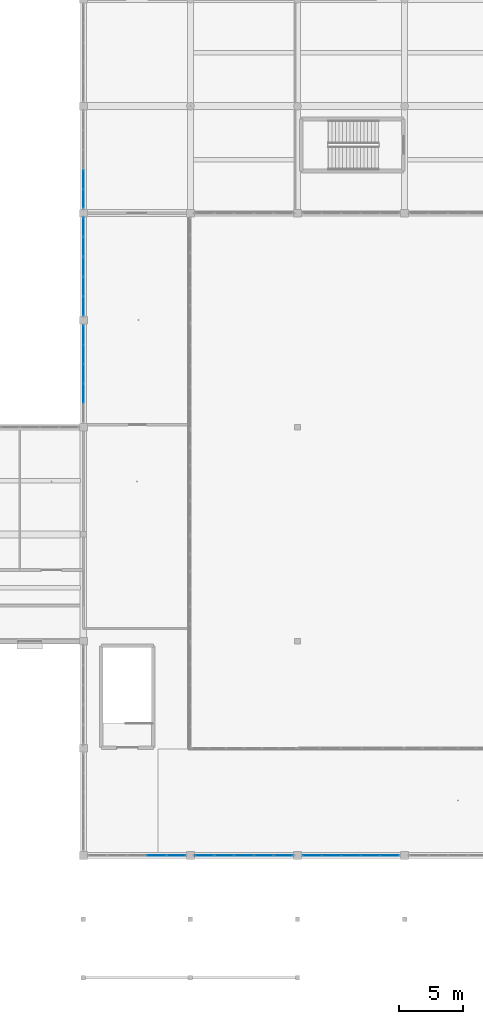
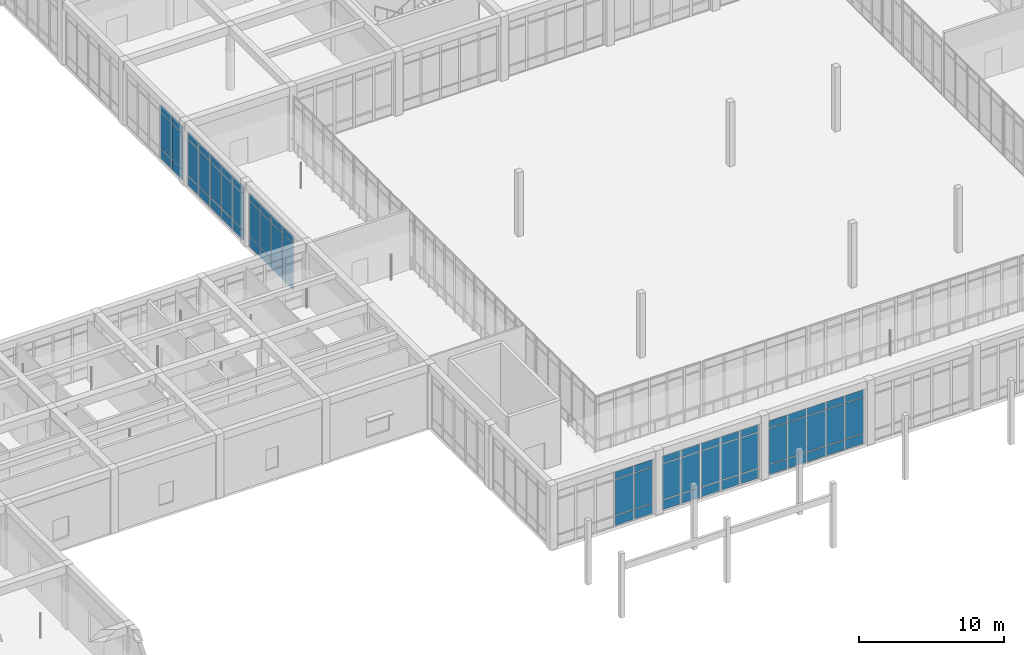
# One storey, part 57 of 157: 69 plates, 6 elements without a shape of their own.
"""IFC4 building model written with IfcOpenShell, lengths in metres."""

from ifc_helpers import new_model, si_unit, direction, frame, origin, origin_2d, place, context, subcontext, project, spatial, rectangle, extrude, material, layer, layer_set, type_object, element, aggregate, save


model = new_model("IFC4")

# Units and contexts
model_context = context("Model", 3, precision=1e-05, world=origin(), true_north=direction((0.0, 1.0)))
body_context = subcontext(model_context, "Body", "Model", "MODEL_VIEW")
ifc_project = project(units=[si_unit("LENGTHUNIT", "METRE"), si_unit("AREAUNIT", "SQUARE_METRE"), si_unit("VOLUMEUNIT", "CUBIC_METRE"), si_unit("PLANEANGLEUNIT", "RADIAN"), si_unit("MASSUNIT", "GRAM", prefix="KILO")], contexts=[model_context])

# Site, building, storey
site_placement = place(None, origin())
site = spatial("IfcSite", under=ifc_project, at=site_placement, CompositionType="ELEMENT")
building_placement = place(site_placement, origin())
building = spatial("IfcBuilding", under=site, at=building_placement, Name="Varncliffe General Hospital", CompositionType="ELEMENT")
storey_placement = place(building_placement, frame((0.0, 0.0, 5.39990234375)))
storey = spatial("IfcBuildingStorey", under=building, at=storey_placement, Name="L01", CompositionType="ELEMENT", Elevation=5.39990234375)

# Curtain wall, plates
ifc_material = material(Name="Triple low-E argon insulated vision glazing", Category="glass")
curtain_wall_type_1 = type_object("IfcCurtainWallType", Name="Unitised Glazed Curtain Wall CW70 (7724x4640)", PredefinedType="USERDEFINED", material=ifc_material)
curtain_wall_1_placement = place(storey_placement, origin())
curtain_wall_1 = element("IfcCurtainWall", 1, at=curtain_wall_1_placement, inside=storey, type_object=curtain_wall_type_1, Name="L01 Glazed Curtain Wall CW70-52", ObjectType="GLAZED CURTAIN WALL", PredefinedType="USERDEFINED")
ifc_layer_1 = layer(ifc_material, 0.0439453125)
ifc_layer_set_1 = layer_set([ifc_layer_1], Name="Triple low-E argon insulated vision glazing")
plate_type_1 = type_object("IfcPlateType", Name="Curtain Wall Glazing Panel CP12 (44mm)", PredefinedType="CURTAIN_PANEL", material=ifc_layer_set_1)
plate_1_placement = place(storey_placement, frame((66.07080078125, 7.199951171875, 0.06005859375), z_axis=(0.0, 0.0, 1.0), x_axis=(-1.0, 0.0, 0.0)))
plate_1 = element("IfcPlate", 2, at=plate_1_placement, type_object=plate_type_1, Name="CW70 panel 1.1", PredefinedType="CURTAIN_PANEL", context=body_context, shape_type="SweptSolid", body=[
    extrude(rectangle(XDim=1.432373046875, YDim=0.0439453125, at=origin_2d()), origin(), (0.0, 0.0, 1.0), 0.81005859375),
])
plate_2_placement = place(storey_placement, frame((66.07080078125, 7.199951171875, 0.93017578125), z_axis=(0.0, 0.0, 1.0), x_axis=(-1.0, 0.0, 0.0)))
plate_2 = element("IfcPlate", 3, at=plate_2_placement, type_object=plate_type_1, Name="CW70 panel 1.2", PredefinedType="CURTAIN_PANEL", context=body_context, shape_type="SweptSolid", body=[
    extrude(rectangle(XDim=1.432373046875, YDim=0.0439453125, at=origin_2d()), origin(), (0.0, 0.0, 1.0), 2.97998046875),
])
plate_3_placement = place(storey_placement, frame((66.07080078125, 7.199951171875, 3.97021484375), z_axis=(0.0, 0.0, 1.0), x_axis=(-1.0, 0.0, 0.0)))
plate_3 = element("IfcPlate", 4, at=plate_3_placement, type_object=plate_type_1, Name="CW70 panel 1.3", PredefinedType="CURTAIN_PANEL", context=body_context, shape_type="SweptSolid", body=[
    extrude(rectangle(XDim=1.432373046875, YDim=0.0439453125, at=origin_2d()), origin(), (0.0, 0.0, 1.0), 0.610107421875),
])
plate_4_placement = place(storey_placement, frame((64.544921875, 7.199951171875, 0.06005859375), z_axis=(0.0, 0.0, 1.0), x_axis=(-1.0, 0.0, 0.0)))
plate_4 = element("IfcPlate", 5, at=plate_4_placement, type_object=plate_type_1, Name="CW70 panel 2.1", PredefinedType="CURTAIN_PANEL", context=body_context, shape_type="SweptSolid", body=[
    extrude(rectangle(XDim=1.4697265625, YDim=0.0439453125, at=origin_2d()), origin(), (0.0, 0.0, 1.0), 0.81005859375),
])
plate_5_placement = place(storey_placement, frame((64.544921875, 7.199951171875, 0.93017578125), z_axis=(0.0, 0.0, 1.0), x_axis=(-1.0, 0.0, 0.0)))
plate_5 = element("IfcPlate", 6, at=plate_5_placement, type_object=plate_type_1, Name="CW70 panel 2.2", PredefinedType="CURTAIN_PANEL", context=body_context, shape_type="SweptSolid", body=[
    extrude(rectangle(XDim=1.4697265625, YDim=0.0439453125, at=origin_2d()), origin(), (0.0, 0.0, 1.0), 2.97998046875),
])
plate_6_placement = place(storey_placement, frame((64.544921875, 7.199951171875, 3.97021484375), z_axis=(0.0, 0.0, 1.0), x_axis=(-1.0, 0.0, 0.0)))
plate_6 = element("IfcPlate", 7, at=plate_6_placement, type_object=plate_type_1, Name="CW70 panel 2.3", PredefinedType="CURTAIN_PANEL", context=body_context, shape_type="SweptSolid", body=[
    extrude(rectangle(XDim=1.4697265625, YDim=0.0439453125, at=origin_2d()), origin(), (0.0, 0.0, 1.0), 0.610107421875),
])
aggregate(curtain_wall_1, [plate_1, plate_2, plate_3, plate_4, plate_5, plate_6])

curtain_wall_2_placement = place(storey_placement, origin())
curtain_wall_2 = element("IfcCurtainWall", 8, at=curtain_wall_2_placement, inside=storey, type_object=curtain_wall_type_1, Name="L01 Glazed Curtain Wall CW70-88", ObjectType="GLAZED CURTAIN WALL", PredefinedType="USERDEFINED")
plate_7_placement = place(storey_placement, frame((58.800048828125, 58.729248046875, 0.06005859375), z_axis=(0.0, 0.0, 1.0), x_axis=(0.0, 1.0, 0.0)))
plate_7 = element("IfcPlate", 9, at=plate_7_placement, type_object=plate_type_1, Name="CW70 panel 1.1", PredefinedType="CURTAIN_PANEL", context=body_context, shape_type="SweptSolid", body=[
    extrude(rectangle(XDim=1.432373046875, YDim=0.0439453125, at=origin_2d()), origin(), (0.0, 0.0, 1.0), 0.81005859375),
])
plate_8_placement = place(storey_placement, frame((58.800048828125, 58.729248046875, 0.93017578125), z_axis=(0.0, 0.0, 1.0), x_axis=(0.0, 1.0, 0.0)))
plate_8 = element("IfcPlate", 10, at=plate_8_placement, type_object=plate_type_1, Name="CW70 panel 1.2", PredefinedType="CURTAIN_PANEL", context=body_context, shape_type="SweptSolid", body=[
    extrude(rectangle(XDim=1.432373046875, YDim=0.0439453125, at=origin_2d()), origin(), (0.0, 0.0, 1.0), 2.97998046875),
])
plate_9_placement = place(storey_placement, frame((58.800048828125, 58.729248046875, 3.97021484375), z_axis=(0.0, 0.0, 1.0), x_axis=(0.0, 1.0, 0.0)))
plate_9 = element("IfcPlate", 11, at=plate_9_placement, type_object=plate_type_1, Name="CW70 panel 1.3", PredefinedType="CURTAIN_PANEL", context=body_context, shape_type="SweptSolid", body=[
    extrude(rectangle(XDim=1.432373046875, YDim=0.0439453125, at=origin_2d()), origin(), (0.0, 0.0, 1.0), 0.610107421875),
])
plate_10_placement = place(storey_placement, frame((58.800048828125, 60.255126953125, 0.06005859375), z_axis=(0.0, 0.0, 1.0), x_axis=(0.0, 1.0, 0.0)))
plate_10 = element("IfcPlate", 12, at=plate_10_placement, type_object=plate_type_1, Name="CW70 panel 2.1", PredefinedType="CURTAIN_PANEL", context=body_context, shape_type="SweptSolid", body=[
    extrude(rectangle(XDim=1.4697265625, YDim=0.0439453125, at=origin_2d()), origin(), (0.0, 0.0, 1.0), 0.81005859375),
])
plate_11_placement = place(storey_placement, frame((58.800048828125, 60.255126953125, 0.93017578125), z_axis=(0.0, 0.0, 1.0), x_axis=(0.0, 1.0, 0.0)))
plate_11 = element("IfcPlate", 13, at=plate_11_placement, type_object=plate_type_1, Name="CW70 panel 2.2", PredefinedType="CURTAIN_PANEL", context=body_context, shape_type="SweptSolid", body=[
    extrude(rectangle(XDim=1.4697265625, YDim=0.0439453125, at=origin_2d()), origin(), (0.0, 0.0, 1.0), 2.97998046875),
])
plate_12_placement = place(storey_placement, frame((58.800048828125, 60.255126953125, 3.97021484375), z_axis=(0.0, 0.0, 1.0), x_axis=(0.0, 1.0, 0.0)))
plate_12 = element("IfcPlate", 14, at=plate_12_placement, type_object=plate_type_1, Name="CW70 panel 2.3", PredefinedType="CURTAIN_PANEL", context=body_context, shape_type="SweptSolid", body=[
    extrude(rectangle(XDim=1.4697265625, YDim=0.0439453125, at=origin_2d()), origin(), (0.0, 0.0, 1.0), 0.610107421875),
])
aggregate(curtain_wall_2, [plate_7, plate_8, plate_9, plate_10, plate_11, plate_12])

curtain_wall_type_2 = type_object("IfcCurtainWallType", Name="Unitised Glazed Curtain Wall CW85 (7804x4640)", PredefinedType="USERDEFINED", material=ifc_material)
curtain_wall_3_placement = place(storey_placement, origin())
curtain_wall_3 = element("IfcCurtainWall", 15, at=curtain_wall_3_placement, inside=storey, type_object=curtain_wall_type_2, Name="L01 Glazed Curtain Wall CW85-51", ObjectType="GLAZED CURTAIN WALL", PredefinedType="USERDEFINED")
ifc_layer_2 = layer(ifc_material, 0.035888671875)
ifc_layer_set_2 = layer_set([ifc_layer_2], Name="Triple low-E argon insulated vision glazing")
plate_type_2 = type_object("IfcPlateType", Name="Curtain Wall Glazing Panel CP27 (36mm)", PredefinedType="CURTAIN_PANEL", material=ifc_layer_set_2)
plate_13_placement = place(storey_placement, frame((74.5029296875, 7.199951171875, 0.06494140625), z_axis=(0.0, 0.0, 1.0), x_axis=(-1.0, 0.0, 0.0)))
plate_13 = element("IfcPlate", 16, at=plate_13_placement, type_object=plate_type_2, Name="CW85 panel 1.1", PredefinedType="CURTAIN_PANEL", context=body_context, shape_type="SweptSolid", body=[
    extrude(rectangle(XDim=1.4482421875, YDim=0.035888671875, at=origin_2d()), origin(), (0.0, 0.0, 1.0), 0.802490234375),
])
plate_14_placement = place(storey_placement, frame((74.5029296875, 7.199951171875, 0.9326171875), z_axis=(0.0, 0.0, 1.0), x_axis=(-1.0, 0.0, 0.0)))
plate_14 = element("IfcPlate", 17, at=plate_14_placement, type_object=plate_type_2, Name="CW85 panel 1.2", PredefinedType="CURTAIN_PANEL", context=body_context, shape_type="SweptSolid", body=[
    extrude(rectangle(XDim=1.4482421875, YDim=0.035888671875, at=origin_2d()), origin(), (0.0, 0.0, 1.0), 2.97509765625),
])
plate_15_placement = place(storey_placement, frame((74.5029296875, 7.199951171875, 3.97265625), z_axis=(0.0, 0.0, 1.0), x_axis=(-1.0, 0.0, 0.0)))
plate_15 = element("IfcPlate", 18, at=plate_15_placement, type_object=plate_type_2, Name="CW85 panel 1.3", PredefinedType="CURTAIN_PANEL", context=body_context, shape_type="SweptSolid", body=[
    extrude(rectangle(XDim=1.4482421875, YDim=0.035888671875, at=origin_2d()), origin(), (0.0, 0.0, 1.0), 0.6025390625),
])
plate_16_placement = place(storey_placement, frame((72.960693359375, 7.199951171875, 0.06494140625), z_axis=(0.0, 0.0, 1.0), x_axis=(-1.0, 0.0, 0.0)))
plate_16 = element("IfcPlate", 19, at=plate_16_placement, type_object=plate_type_2, Name="CW85 panel 2.1", PredefinedType="CURTAIN_PANEL", context=body_context, shape_type="SweptSolid", body=[
    extrude(rectangle(XDim=1.48583984375, YDim=0.035888671875, at=origin_2d()), origin(), (0.0, 0.0, 1.0), 0.802490234375),
])
plate_17_placement = place(storey_placement, frame((72.960693359375, 7.199951171875, 0.9326171875), z_axis=(0.0, 0.0, 1.0), x_axis=(-1.0, 0.0, 0.0)))
plate_17 = element("IfcPlate", 20, at=plate_17_placement, type_object=plate_type_2, Name="CW85 panel 2.2", PredefinedType="CURTAIN_PANEL", context=body_context, shape_type="SweptSolid", body=[
    extrude(rectangle(XDim=1.48583984375, YDim=0.035888671875, at=origin_2d()), origin(), (0.0, 0.0, 1.0), 2.97509765625),
])
plate_18_placement = place(storey_placement, frame((72.960693359375, 7.199951171875, 3.97265625), z_axis=(0.0, 0.0, 1.0), x_axis=(-1.0, 0.0, 0.0)))
plate_18 = element("IfcPlate", 21, at=plate_18_placement, type_object=plate_type_2, Name="CW85 panel 2.3", PredefinedType="CURTAIN_PANEL", context=body_context, shape_type="SweptSolid", body=[
    extrude(rectangle(XDim=1.48583984375, YDim=0.035888671875, at=origin_2d()), origin(), (0.0, 0.0, 1.0), 0.6025390625),
])
plate_19_placement = place(storey_placement, frame((71.39990234375, 7.199951171875, 0.06494140625), z_axis=(0.0, 0.0, 1.0), x_axis=(-1.0, 0.0, 0.0)))
plate_19 = element("IfcPlate", 22, at=plate_19_placement, type_object=plate_type_2, Name="CW85 panel 3.1", PredefinedType="CURTAIN_PANEL", context=body_context, shape_type="SweptSolid", body=[
    extrude(rectangle(XDim=1.48583984375, YDim=0.035888671875, at=origin_2d()), origin(), (0.0, 0.0, 1.0), 0.802490234375),
])
plate_20_placement = place(storey_placement, frame((71.39990234375, 7.199951171875, 0.9326171875), z_axis=(0.0, 0.0, 1.0), x_axis=(-1.0, 0.0, 0.0)))
plate_20 = element("IfcPlate", 23, at=plate_20_placement, type_object=plate_type_2, Name="CW85 panel 3.2", PredefinedType="CURTAIN_PANEL", context=body_context, shape_type="SweptSolid", body=[
    extrude(rectangle(XDim=1.48583984375, YDim=0.035888671875, at=origin_2d()), origin(), (0.0, 0.0, 1.0), 2.97509765625),
])
plate_21_placement = place(storey_placement, frame((71.39990234375, 7.199951171875, 3.97265625), z_axis=(0.0, 0.0, 1.0), x_axis=(-1.0, 0.0, 0.0)))
plate_21 = element("IfcPlate", 24, at=plate_21_placement, type_object=plate_type_2, Name="CW85 panel 3.3", PredefinedType="CURTAIN_PANEL", context=body_context, shape_type="SweptSolid", body=[
    extrude(rectangle(XDim=1.48583984375, YDim=0.035888671875, at=origin_2d()), origin(), (0.0, 0.0, 1.0), 0.6025390625),
])
plate_22_placement = place(storey_placement, frame((69.839111328125, 7.199951171875, 0.06494140625), z_axis=(0.0, 0.0, 1.0), x_axis=(-1.0, 0.0, 0.0)))
plate_22 = element("IfcPlate", 25, at=plate_22_placement, type_object=plate_type_2, Name="CW85 panel 4.1", PredefinedType="CURTAIN_PANEL", context=body_context, shape_type="SweptSolid", body=[
    extrude(rectangle(XDim=1.48583984375, YDim=0.035888671875, at=origin_2d()), origin(), (0.0, 0.0, 1.0), 0.802490234375),
])
plate_23_placement = place(storey_placement, frame((69.839111328125, 7.199951171875, 0.9326171875), z_axis=(0.0, 0.0, 1.0), x_axis=(-1.0, 0.0, 0.0)))
plate_23 = element("IfcPlate", 26, at=plate_23_placement, type_object=plate_type_2, Name="CW85 panel 4.2", PredefinedType="CURTAIN_PANEL", context=body_context, shape_type="SweptSolid", body=[
    extrude(rectangle(XDim=1.48583984375, YDim=0.035888671875, at=origin_2d()), origin(), (0.0, 0.0, 1.0), 2.97509765625),
])
plate_24_placement = place(storey_placement, frame((69.839111328125, 7.199951171875, 3.97265625), z_axis=(0.0, 0.0, 1.0), x_axis=(-1.0, 0.0, 0.0)))
plate_24 = element("IfcPlate", 27, at=plate_24_placement, type_object=plate_type_2, Name="CW85 panel 4.3", PredefinedType="CURTAIN_PANEL", context=body_context, shape_type="SweptSolid", body=[
    extrude(rectangle(XDim=1.48583984375, YDim=0.035888671875, at=origin_2d()), origin(), (0.0, 0.0, 1.0), 0.6025390625),
])
plate_25_placement = place(storey_placement, frame((68.297119140625, 7.199951171875, 0.06494140625), z_axis=(0.0, 0.0, 1.0), x_axis=(-1.0, 0.0, 0.0)))
plate_25 = element("IfcPlate", 28, at=plate_25_placement, type_object=plate_type_2, Name="CW85 panel 5.1", PredefinedType="CURTAIN_PANEL", context=body_context, shape_type="SweptSolid", body=[
    extrude(rectangle(XDim=1.4482421875, YDim=0.035888671875, at=origin_2d()), origin(), (0.0, 0.0, 1.0), 0.802490234375),
])
plate_26_placement = place(storey_placement, frame((68.297119140625, 7.199951171875, 0.9326171875), z_axis=(0.0, 0.0, 1.0), x_axis=(-1.0, 0.0, 0.0)))
plate_26 = element("IfcPlate", 29, at=plate_26_placement, type_object=plate_type_2, Name="CW85 panel 5.2", PredefinedType="CURTAIN_PANEL", context=body_context, shape_type="SweptSolid", body=[
    extrude(rectangle(XDim=1.4482421875, YDim=0.035888671875, at=origin_2d()), origin(), (0.0, 0.0, 1.0), 2.97509765625),
])
plate_27_placement = place(storey_placement, frame((68.297119140625, 7.199951171875, 3.97265625), z_axis=(0.0, 0.0, 1.0), x_axis=(-1.0, 0.0, 0.0)))
plate_27 = element("IfcPlate", 30, at=plate_27_placement, type_object=plate_type_2, Name="CW85 panel 5.3", PredefinedType="CURTAIN_PANEL", context=body_context, shape_type="SweptSolid", body=[
    extrude(rectangle(XDim=1.4482421875, YDim=0.035888671875, at=origin_2d()), origin(), (0.0, 0.0, 1.0), 0.6025390625),
])
aggregate(curtain_wall_3, [plate_13, plate_14, plate_15, plate_16, plate_17, plate_18, plate_19, plate_20, plate_21, plate_22, plate_23, plate_24, plate_25, plate_26, plate_27])

curtain_wall_4_placement = place(storey_placement, origin())
curtain_wall_4 = element("IfcCurtainWall", 31, at=curtain_wall_4_placement, inside=storey, type_object=curtain_wall_type_2, Name="L01 Glazed Curtain Wall CW85-87", ObjectType="GLAZED CURTAIN WALL", PredefinedType="USERDEFINED")
plate_28_placement = place(storey_placement, frame((58.800048828125, 50.297119140625, 0.06494140625), z_axis=(0.0, 0.0, 1.0), x_axis=(0.0, 1.0, 0.0)))
plate_28 = element("IfcPlate", 32, at=plate_28_placement, type_object=plate_type_2, Name="CW85 panel 1.1", PredefinedType="CURTAIN_PANEL", context=body_context, shape_type="SweptSolid", body=[
    extrude(rectangle(XDim=1.4482421875, YDim=0.035888671875, at=origin_2d()), origin(), (0.0, 0.0, 1.0), 0.802490234375),
])
plate_29_placement = place(storey_placement, frame((58.800048828125, 50.297119140625, 0.9326171875), z_axis=(0.0, 0.0, 1.0), x_axis=(0.0, 1.0, 0.0)))
plate_29 = element("IfcPlate", 33, at=plate_29_placement, type_object=plate_type_2, Name="CW85 panel 1.2", PredefinedType="CURTAIN_PANEL", context=body_context, shape_type="SweptSolid", body=[
    extrude(rectangle(XDim=1.4482421875, YDim=0.035888671875, at=origin_2d()), origin(), (0.0, 0.0, 1.0), 2.97509765625),
])
plate_30_placement = place(storey_placement, frame((58.800048828125, 50.297119140625, 3.97265625), z_axis=(0.0, 0.0, 1.0), x_axis=(0.0, 1.0, 0.0)))
plate_30 = element("IfcPlate", 34, at=plate_30_placement, type_object=plate_type_2, Name="CW85 panel 1.3", PredefinedType="CURTAIN_PANEL", context=body_context, shape_type="SweptSolid", body=[
    extrude(rectangle(XDim=1.4482421875, YDim=0.035888671875, at=origin_2d()), origin(), (0.0, 0.0, 1.0), 0.6025390625),
])
plate_31_placement = place(storey_placement, frame((58.800048828125, 51.839111328125, 0.06494140625), z_axis=(0.0, 0.0, 1.0), x_axis=(0.0, 1.0, 0.0)))
plate_31 = element("IfcPlate", 35, at=plate_31_placement, type_object=plate_type_2, Name="CW85 panel 2.1", PredefinedType="CURTAIN_PANEL", context=body_context, shape_type="SweptSolid", body=[
    extrude(rectangle(XDim=1.48583984375, YDim=0.035888671875, at=origin_2d()), origin(), (0.0, 0.0, 1.0), 0.802490234375),
])
plate_32_placement = place(storey_placement, frame((58.800048828125, 51.839111328125, 0.9326171875), z_axis=(0.0, 0.0, 1.0), x_axis=(0.0, 1.0, 0.0)))
plate_32 = element("IfcPlate", 36, at=plate_32_placement, type_object=plate_type_2, Name="CW85 panel 2.2", PredefinedType="CURTAIN_PANEL", context=body_context, shape_type="SweptSolid", body=[
    extrude(rectangle(XDim=1.48583984375, YDim=0.035888671875, at=origin_2d()), origin(), (0.0, 0.0, 1.0), 2.97509765625),
])
plate_33_placement = place(storey_placement, frame((58.800048828125, 51.839111328125, 3.97265625), z_axis=(0.0, 0.0, 1.0), x_axis=(0.0, 1.0, 0.0)))
plate_33 = element("IfcPlate", 37, at=plate_33_placement, type_object=plate_type_2, Name="CW85 panel 2.3", PredefinedType="CURTAIN_PANEL", context=body_context, shape_type="SweptSolid", body=[
    extrude(rectangle(XDim=1.48583984375, YDim=0.035888671875, at=origin_2d()), origin(), (0.0, 0.0, 1.0), 0.6025390625),
])
plate_34_placement = place(storey_placement, frame((58.800048828125, 53.39990234375, 0.06494140625), z_axis=(0.0, 0.0, 1.0), x_axis=(0.0, 1.0, 0.0)))
plate_34 = element("IfcPlate", 38, at=plate_34_placement, type_object=plate_type_2, Name="CW85 panel 3.1", PredefinedType="CURTAIN_PANEL", context=body_context, shape_type="SweptSolid", body=[
    extrude(rectangle(XDim=1.48583984375, YDim=0.035888671875, at=origin_2d()), origin(), (0.0, 0.0, 1.0), 0.802490234375),
])
plate_35_placement = place(storey_placement, frame((58.800048828125, 53.39990234375, 0.9326171875), z_axis=(0.0, 0.0, 1.0), x_axis=(0.0, 1.0, 0.0)))
plate_35 = element("IfcPlate", 39, at=plate_35_placement, type_object=plate_type_2, Name="CW85 panel 3.2", PredefinedType="CURTAIN_PANEL", context=body_context, shape_type="SweptSolid", body=[
    extrude(rectangle(XDim=1.48583984375, YDim=0.035888671875, at=origin_2d()), origin(), (0.0, 0.0, 1.0), 2.97509765625),
])
plate_36_placement = place(storey_placement, frame((58.800048828125, 53.39990234375, 3.97265625), z_axis=(0.0, 0.0, 1.0), x_axis=(0.0, 1.0, 0.0)))
plate_36 = element("IfcPlate", 40, at=plate_36_placement, type_object=plate_type_2, Name="CW85 panel 3.3", PredefinedType="CURTAIN_PANEL", context=body_context, shape_type="SweptSolid", body=[
    extrude(rectangle(XDim=1.48583984375, YDim=0.035888671875, at=origin_2d()), origin(), (0.0, 0.0, 1.0), 0.6025390625),
])
plate_37_placement = place(storey_placement, frame((58.800048828125, 54.960693359375, 0.06494140625), z_axis=(0.0, 0.0, 1.0), x_axis=(0.0, 1.0, 0.0)))
plate_37 = element("IfcPlate", 41, at=plate_37_placement, type_object=plate_type_2, Name="CW85 panel 4.1", PredefinedType="CURTAIN_PANEL", context=body_context, shape_type="SweptSolid", body=[
    extrude(rectangle(XDim=1.48583984375, YDim=0.035888671875, at=origin_2d()), origin(), (0.0, 0.0, 1.0), 0.802490234375),
])
plate_38_placement = place(storey_placement, frame((58.800048828125, 54.960693359375, 0.9326171875), z_axis=(0.0, 0.0, 1.0), x_axis=(0.0, 1.0, 0.0)))
plate_38 = element("IfcPlate", 42, at=plate_38_placement, type_object=plate_type_2, Name="CW85 panel 4.2", PredefinedType="CURTAIN_PANEL", context=body_context, shape_type="SweptSolid", body=[
    extrude(rectangle(XDim=1.48583984375, YDim=0.035888671875, at=origin_2d()), origin(), (0.0, 0.0, 1.0), 2.97509765625),
])
plate_39_placement = place(storey_placement, frame((58.800048828125, 54.960693359375, 3.97265625), z_axis=(0.0, 0.0, 1.0), x_axis=(0.0, 1.0, 0.0)))
plate_39 = element("IfcPlate", 43, at=plate_39_placement, type_object=plate_type_2, Name="CW85 panel 4.3", PredefinedType="CURTAIN_PANEL", context=body_context, shape_type="SweptSolid", body=[
    extrude(rectangle(XDim=1.48583984375, YDim=0.035888671875, at=origin_2d()), origin(), (0.0, 0.0, 1.0), 0.6025390625),
])
plate_40_placement = place(storey_placement, frame((58.800048828125, 56.5029296875, 0.06494140625), z_axis=(0.0, 0.0, 1.0), x_axis=(0.0, 1.0, 0.0)))
plate_40 = element("IfcPlate", 44, at=plate_40_placement, type_object=plate_type_2, Name="CW85 panel 5.1", PredefinedType="CURTAIN_PANEL", context=body_context, shape_type="SweptSolid", body=[
    extrude(rectangle(XDim=1.4482421875, YDim=0.035888671875, at=origin_2d()), origin(), (0.0, 0.0, 1.0), 0.802490234375),
])
plate_41_placement = place(storey_placement, frame((58.800048828125, 56.5029296875, 0.9326171875), z_axis=(0.0, 0.0, 1.0), x_axis=(0.0, 1.0, 0.0)))
plate_41 = element("IfcPlate", 45, at=plate_41_placement, type_object=plate_type_2, Name="CW85 panel 5.2", PredefinedType="CURTAIN_PANEL", context=body_context, shape_type="SweptSolid", body=[
    extrude(rectangle(XDim=1.4482421875, YDim=0.035888671875, at=origin_2d()), origin(), (0.0, 0.0, 1.0), 2.97509765625),
])
plate_42_placement = place(storey_placement, frame((58.800048828125, 56.5029296875, 3.97265625), z_axis=(0.0, 0.0, 1.0), x_axis=(0.0, 1.0, 0.0)))
plate_42 = element("IfcPlate", 46, at=plate_42_placement, type_object=plate_type_2, Name="CW85 panel 5.3", PredefinedType="CURTAIN_PANEL", context=body_context, shape_type="SweptSolid", body=[
    extrude(rectangle(XDim=1.4482421875, YDim=0.035888671875, at=origin_2d()), origin(), (0.0, 0.0, 1.0), 0.6025390625),
])
aggregate(curtain_wall_4, [plate_28, plate_29, plate_30, plate_31, plate_32, plate_33, plate_34, plate_35, plate_36, plate_37, plate_38, plate_39, plate_40, plate_41, plate_42])

curtain_wall_type_3 = type_object("IfcCurtainWallType", Name="Unitised Glazed Curtain Wall CW27 (7644x4640)", PredefinedType="USERDEFINED", material=ifc_material)
curtain_wall_5_placement = place(storey_placement, origin())
curtain_wall_5 = element("IfcCurtainWall", 47, at=curtain_wall_5_placement, inside=storey, type_object=curtain_wall_type_3, Name="L01 Glazed Curtain Wall CW27-50", ObjectType="GLAZED CURTAIN WALL", PredefinedType="USERDEFINED")
ifc_layer_3 = layer(ifc_material, 0.028076171875)
ifc_layer_set_3 = layer_set([ifc_layer_3], Name="Triple low-E argon insulated vision glazing")
plate_type_3 = type_object("IfcPlateType", Name="Curtain Wall Glazing Panel CP48 (28mm)", PredefinedType="CURTAIN_PANEL", material=ifc_layer_set_3)
plate_43_placement = place(storey_placement, frame((82.84130859375, 7.199951171875, 0.06005859375), z_axis=(0.0, 0.0, 1.0), x_axis=(-1.0, 0.0, 0.0)))
plate_43 = element("IfcPlate", 48, at=plate_43_placement, type_object=plate_type_3, Name="CW27 panel 1.1", PredefinedType="CURTAIN_PANEL", context=body_context, shape_type="SweptSolid", body=[
    extrude(rectangle(XDim=1.431396484375, YDim=0.028076171875, at=origin_2d()), origin(), (0.0, 0.0, 1.0), 0.81005859375),
])
plate_44_placement = place(storey_placement, frame((82.84130859375, 7.199951171875, 0.93017578125), z_axis=(0.0, 0.0, 1.0), x_axis=(-1.0, 0.0, 0.0)))
plate_44 = element("IfcPlate", 49, at=plate_44_placement, type_object=plate_type_3, Name="CW27 panel 1.2", PredefinedType="CURTAIN_PANEL", context=body_context, shape_type="SweptSolid", body=[
    extrude(rectangle(XDim=1.431396484375, YDim=0.028076171875, at=origin_2d()), origin(), (0.0, 0.0, 1.0), 2.97998046875),
])
plate_45_placement = place(storey_placement, frame((82.84130859375, 7.199951171875, 3.97021484375), z_axis=(0.0, 0.0, 1.0), x_axis=(-1.0, 0.0, 0.0)))
plate_45 = element("IfcPlate", 50, at=plate_45_placement, type_object=plate_type_3, Name="CW27 panel 1.3", PredefinedType="CURTAIN_PANEL", context=body_context, shape_type="SweptSolid", body=[
    extrude(rectangle(XDim=1.431396484375, YDim=0.028076171875, at=origin_2d()), origin(), (0.0, 0.0, 1.0), 0.610107421875),
])
plate_46_placement = place(storey_placement, frame((81.328857421875, 7.199951171875, 0.06005859375), z_axis=(0.0, 0.0, 1.0), x_axis=(-1.0, 0.0, 0.0)))
plate_46 = element("IfcPlate", 51, at=plate_46_placement, type_object=plate_type_3, Name="CW27 panel 2.1", PredefinedType="CURTAIN_PANEL", context=body_context, shape_type="SweptSolid", body=[
    extrude(rectangle(XDim=1.4638671875, YDim=0.028076171875, at=origin_2d()), origin(), (0.0, 0.0, 1.0), 0.81005859375),
])
plate_47_placement = place(storey_placement, frame((81.328857421875, 7.199951171875, 0.93017578125), z_axis=(0.0, 0.0, 1.0), x_axis=(-1.0, 0.0, 0.0)))
plate_47 = element("IfcPlate", 52, at=plate_47_placement, type_object=plate_type_3, Name="CW27 panel 2.2", PredefinedType="CURTAIN_PANEL", context=body_context, shape_type="SweptSolid", body=[
    extrude(rectangle(XDim=1.4638671875, YDim=0.028076171875, at=origin_2d()), origin(), (0.0, 0.0, 1.0), 2.97998046875),
])
plate_48_placement = place(storey_placement, frame((81.328857421875, 7.199951171875, 3.97021484375), z_axis=(0.0, 0.0, 1.0), x_axis=(-1.0, 0.0, 0.0)))
plate_48 = element("IfcPlate", 53, at=plate_48_placement, type_object=plate_type_3, Name="CW27 panel 2.3", PredefinedType="CURTAIN_PANEL", context=body_context, shape_type="SweptSolid", body=[
    extrude(rectangle(XDim=1.4638671875, YDim=0.028076171875, at=origin_2d()), origin(), (0.0, 0.0, 1.0), 0.610107421875),
])
plate_49_placement = place(storey_placement, frame((79.800048828125, 7.199951171875, 0.06005859375), z_axis=(0.0, 0.0, 1.0), x_axis=(-1.0, 0.0, 0.0)))
plate_49 = element("IfcPlate", 54, at=plate_49_placement, type_object=plate_type_3, Name="CW27 panel 3.1", PredefinedType="CURTAIN_PANEL", context=body_context, shape_type="SweptSolid", body=[
    extrude(rectangle(XDim=1.4638671875, YDim=0.028076171875, at=origin_2d()), origin(), (0.0, 0.0, 1.0), 0.81005859375),
])
plate_50_placement = place(storey_placement, frame((79.800048828125, 7.199951171875, 0.93017578125), z_axis=(0.0, 0.0, 1.0), x_axis=(-1.0, 0.0, 0.0)))
plate_50 = element("IfcPlate", 55, at=plate_50_placement, type_object=plate_type_3, Name="CW27 panel 3.2", PredefinedType="CURTAIN_PANEL", context=body_context, shape_type="SweptSolid", body=[
    extrude(rectangle(XDim=1.4638671875, YDim=0.028076171875, at=origin_2d()), origin(), (0.0, 0.0, 1.0), 2.97998046875),
])
plate_51_placement = place(storey_placement, frame((79.800048828125, 7.199951171875, 3.97021484375), z_axis=(0.0, 0.0, 1.0), x_axis=(-1.0, 0.0, 0.0)))
plate_51 = element("IfcPlate", 56, at=plate_51_placement, type_object=plate_type_3, Name="CW27 panel 3.3", PredefinedType="CURTAIN_PANEL", context=body_context, shape_type="SweptSolid", body=[
    extrude(rectangle(XDim=1.4638671875, YDim=0.028076171875, at=origin_2d()), origin(), (0.0, 0.0, 1.0), 0.610107421875),
])
plate_52_placement = place(storey_placement, frame((78.271240234375, 7.199951171875, 0.06005859375), z_axis=(0.0, 0.0, 1.0), x_axis=(-1.0, 0.0, 0.0)))
plate_52 = element("IfcPlate", 57, at=plate_52_placement, type_object=plate_type_3, Name="CW27 panel 4.1", PredefinedType="CURTAIN_PANEL", context=body_context, shape_type="SweptSolid", body=[
    extrude(rectangle(XDim=1.4638671875, YDim=0.028076171875, at=origin_2d()), origin(), (0.0, 0.0, 1.0), 0.81005859375),
])
plate_53_placement = place(storey_placement, frame((78.271240234375, 7.199951171875, 0.93017578125), z_axis=(0.0, 0.0, 1.0), x_axis=(-1.0, 0.0, 0.0)))
plate_53 = element("IfcPlate", 58, at=plate_53_placement, type_object=plate_type_3, Name="CW27 panel 4.2", PredefinedType="CURTAIN_PANEL", context=body_context, shape_type="SweptSolid", body=[
    extrude(rectangle(XDim=1.4638671875, YDim=0.028076171875, at=origin_2d()), origin(), (0.0, 0.0, 1.0), 2.97998046875),
])
plate_54_placement = place(storey_placement, frame((78.271240234375, 7.199951171875, 3.97021484375), z_axis=(0.0, 0.0, 1.0), x_axis=(-1.0, 0.0, 0.0)))
plate_54 = element("IfcPlate", 59, at=plate_54_placement, type_object=plate_type_3, Name="CW27 panel 4.3", PredefinedType="CURTAIN_PANEL", context=body_context, shape_type="SweptSolid", body=[
    extrude(rectangle(XDim=1.4638671875, YDim=0.028076171875, at=origin_2d()), origin(), (0.0, 0.0, 1.0), 0.610107421875),
])
plate_55_placement = place(storey_placement, frame((76.758544921875, 7.199951171875, 0.06005859375), z_axis=(0.0, 0.0, 1.0), x_axis=(-1.0, 0.0, 0.0)))
plate_55 = element("IfcPlate", 60, at=plate_55_placement, type_object=plate_type_3, Name="CW27 panel 5.1", PredefinedType="CURTAIN_PANEL", context=body_context, shape_type="SweptSolid", body=[
    extrude(rectangle(XDim=1.431396484375, YDim=0.028076171875, at=origin_2d()), origin(), (0.0, 0.0, 1.0), 0.81005859375),
])
plate_56_placement = place(storey_placement, frame((76.758544921875, 7.199951171875, 0.93017578125), z_axis=(0.0, 0.0, 1.0), x_axis=(-1.0, 0.0, 0.0)))
plate_56 = element("IfcPlate", 61, at=plate_56_placement, type_object=plate_type_3, Name="CW27 panel 5.2", PredefinedType="CURTAIN_PANEL", context=body_context, shape_type="SweptSolid", body=[
    extrude(rectangle(XDim=1.431396484375, YDim=0.028076171875, at=origin_2d()), origin(), (0.0, 0.0, 1.0), 2.97998046875),
])
plate_57_placement = place(storey_placement, frame((76.758544921875, 7.199951171875, 3.97021484375), z_axis=(0.0, 0.0, 1.0), x_axis=(-1.0, 0.0, 0.0)))
plate_57 = element("IfcPlate", 62, at=plate_57_placement, type_object=plate_type_3, Name="CW27 panel 5.3", PredefinedType="CURTAIN_PANEL", context=body_context, shape_type="SweptSolid", body=[
    extrude(rectangle(XDim=1.431396484375, YDim=0.028076171875, at=origin_2d()), origin(), (0.0, 0.0, 1.0), 0.610107421875),
])
aggregate(curtain_wall_5, [plate_43, plate_44, plate_45, plate_46, plate_47, plate_48, plate_49, plate_50, plate_51, plate_52, plate_53, plate_54, plate_55, plate_56, plate_57])

curtain_wall_6_placement = place(storey_placement, origin())
curtain_wall_6 = element("IfcCurtainWall", 63, at=curtain_wall_6_placement, inside=storey, type_object=curtain_wall_type_3, Name="L01 Glazed Curtain Wall CW27-86", ObjectType="GLAZED CURTAIN WALL", PredefinedType="USERDEFINED")
plate_58_placement = place(storey_placement, frame((58.800048828125, 43.47119140625, 0.06005859375), z_axis=(0.0, 0.0, 1.0), x_axis=(0.0, 1.0, 0.0)))
plate_58 = element("IfcPlate", 64, at=plate_58_placement, type_object=plate_type_3, Name="CW27 panel 2.1", PredefinedType="CURTAIN_PANEL", context=body_context, shape_type="SweptSolid", body=[
    extrude(rectangle(XDim=1.4638671875, YDim=0.028076171875, at=origin_2d()), origin(), (0.0, 0.0, 1.0), 0.81005859375),
])
plate_59_placement = place(storey_placement, frame((58.800048828125, 43.47119140625, 0.93017578125), z_axis=(0.0, 0.0, 1.0), x_axis=(0.0, 1.0, 0.0)))
plate_59 = element("IfcPlate", 65, at=plate_59_placement, type_object=plate_type_3, Name="CW27 panel 2.2", PredefinedType="CURTAIN_PANEL", context=body_context, shape_type="SweptSolid", body=[
    extrude(rectangle(XDim=1.4638671875, YDim=0.028076171875, at=origin_2d()), origin(), (0.0, 0.0, 1.0), 2.97998046875),
])
plate_60_placement = place(storey_placement, frame((58.800048828125, 43.47119140625, 3.97021484375), z_axis=(0.0, 0.0, 1.0), x_axis=(0.0, 1.0, 0.0)))
plate_60 = element("IfcPlate", 66, at=plate_60_placement, type_object=plate_type_3, Name="CW27 panel 2.3", PredefinedType="CURTAIN_PANEL", context=body_context, shape_type="SweptSolid", body=[
    extrude(rectangle(XDim=1.4638671875, YDim=0.028076171875, at=origin_2d()), origin(), (0.0, 0.0, 1.0), 0.610107421875),
])
plate_61_placement = place(storey_placement, frame((58.800048828125, 45.0, 0.06005859375), z_axis=(0.0, 0.0, 1.0), x_axis=(0.0, 1.0, 0.0)))
plate_61 = element("IfcPlate", 67, at=plate_61_placement, type_object=plate_type_3, Name="CW27 panel 3.1", PredefinedType="CURTAIN_PANEL", context=body_context, shape_type="SweptSolid", body=[
    extrude(rectangle(XDim=1.4638671875, YDim=0.028076171875, at=origin_2d()), origin(), (0.0, 0.0, 1.0), 0.81005859375),
])
plate_62_placement = place(storey_placement, frame((58.800048828125, 45.0, 0.93017578125), z_axis=(0.0, 0.0, 1.0), x_axis=(0.0, 1.0, 0.0)))
plate_62 = element("IfcPlate", 68, at=plate_62_placement, type_object=plate_type_3, Name="CW27 panel 3.2", PredefinedType="CURTAIN_PANEL", context=body_context, shape_type="SweptSolid", body=[
    extrude(rectangle(XDim=1.4638671875, YDim=0.028076171875, at=origin_2d()), origin(), (0.0, 0.0, 1.0), 2.97998046875),
])
plate_63_placement = place(storey_placement, frame((58.800048828125, 45.0, 3.97021484375), z_axis=(0.0, 0.0, 1.0), x_axis=(0.0, 1.0, 0.0)))
plate_63 = element("IfcPlate", 69, at=plate_63_placement, type_object=plate_type_3, Name="CW27 panel 3.3", PredefinedType="CURTAIN_PANEL", context=body_context, shape_type="SweptSolid", body=[
    extrude(rectangle(XDim=1.4638671875, YDim=0.028076171875, at=origin_2d()), origin(), (0.0, 0.0, 1.0), 0.610107421875),
])
plate_64_placement = place(storey_placement, frame((58.800048828125, 46.52880859375, 0.06005859375), z_axis=(0.0, 0.0, 1.0), x_axis=(0.0, 1.0, 0.0)))
plate_64 = element("IfcPlate", 70, at=plate_64_placement, type_object=plate_type_3, Name="CW27 panel 4.1", PredefinedType="CURTAIN_PANEL", context=body_context, shape_type="SweptSolid", body=[
    extrude(rectangle(XDim=1.4638671875, YDim=0.028076171875, at=origin_2d()), origin(), (0.0, 0.0, 1.0), 0.81005859375),
])
plate_65_placement = place(storey_placement, frame((58.800048828125, 46.52880859375, 0.93017578125), z_axis=(0.0, 0.0, 1.0), x_axis=(0.0, 1.0, 0.0)))
plate_65 = element("IfcPlate", 71, at=plate_65_placement, type_object=plate_type_3, Name="CW27 panel 4.2", PredefinedType="CURTAIN_PANEL", context=body_context, shape_type="SweptSolid", body=[
    extrude(rectangle(XDim=1.4638671875, YDim=0.028076171875, at=origin_2d()), origin(), (0.0, 0.0, 1.0), 2.97998046875),
])
plate_66_placement = place(storey_placement, frame((58.800048828125, 46.52880859375, 3.97021484375), z_axis=(0.0, 0.0, 1.0), x_axis=(0.0, 1.0, 0.0)))
plate_66 = element("IfcPlate", 72, at=plate_66_placement, type_object=plate_type_3, Name="CW27 panel 4.3", PredefinedType="CURTAIN_PANEL", context=body_context, shape_type="SweptSolid", body=[
    extrude(rectangle(XDim=1.4638671875, YDim=0.028076171875, at=origin_2d()), origin(), (0.0, 0.0, 1.0), 0.610107421875),
])
plate_67_placement = place(storey_placement, frame((58.800048828125, 48.041259765625, 0.06005859375), z_axis=(0.0, 0.0, 1.0), x_axis=(0.0, 1.0, 0.0)))
plate_67 = element("IfcPlate", 73, at=plate_67_placement, type_object=plate_type_3, Name="CW27 panel 5.1", PredefinedType="CURTAIN_PANEL", context=body_context, shape_type="SweptSolid", body=[
    extrude(rectangle(XDim=1.431396484375, YDim=0.028076171875, at=origin_2d()), origin(), (0.0, 0.0, 1.0), 0.81005859375),
])
plate_68_placement = place(storey_placement, frame((58.800048828125, 48.041259765625, 0.93017578125), z_axis=(0.0, 0.0, 1.0), x_axis=(0.0, 1.0, 0.0)))
plate_68 = element("IfcPlate", 74, at=plate_68_placement, type_object=plate_type_3, Name="CW27 panel 5.2", PredefinedType="CURTAIN_PANEL", context=body_context, shape_type="SweptSolid", body=[
    extrude(rectangle(XDim=1.431396484375, YDim=0.028076171875, at=origin_2d()), origin(), (0.0, 0.0, 1.0), 2.97998046875),
])
plate_69_placement = place(storey_placement, frame((58.800048828125, 48.041259765625, 3.97021484375), z_axis=(0.0, 0.0, 1.0), x_axis=(0.0, 1.0, 0.0)))
plate_69 = element("IfcPlate", 75, at=plate_69_placement, type_object=plate_type_3, Name="CW27 panel 5.3", PredefinedType="CURTAIN_PANEL", context=body_context, shape_type="SweptSolid", body=[
    extrude(rectangle(XDim=1.431396484375, YDim=0.028076171875, at=origin_2d()), origin(), (0.0, 0.0, 1.0), 0.610107421875),
])
aggregate(curtain_wall_6, [plate_58, plate_59, plate_60, plate_61, plate_62, plate_63, plate_64, plate_65, plate_66, plate_67, plate_68, plate_69])

save(model, "model.ifc")
